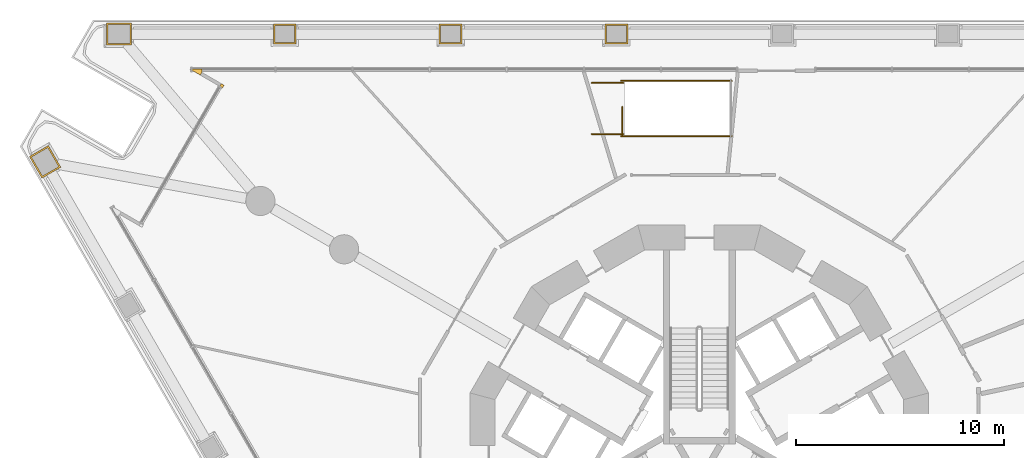
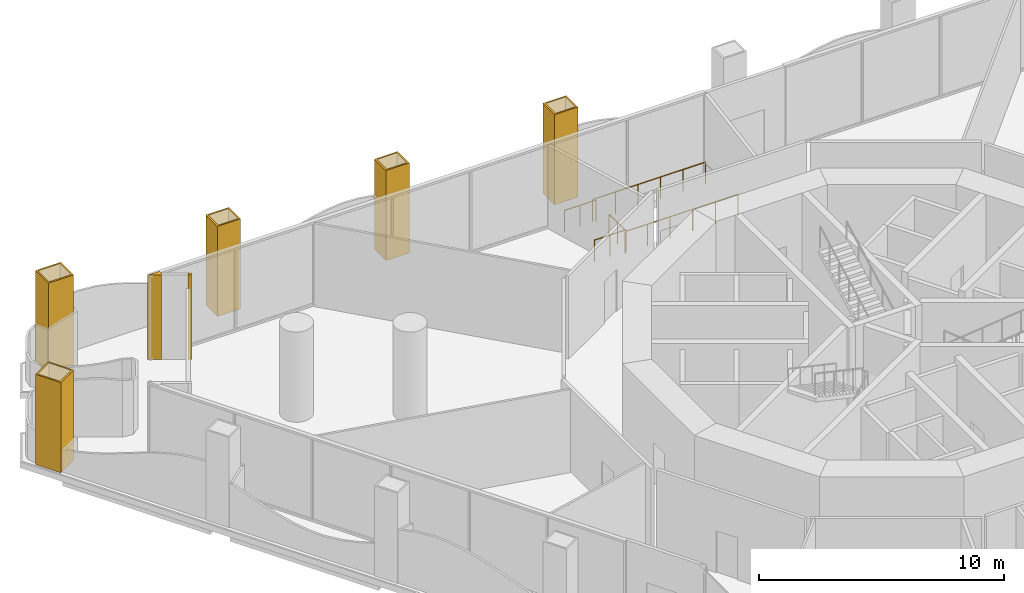
# One storey, part 19 of 21: 7 coverings, 5 railings.
"""IFC4 building model written with IfcOpenShell, lengths in metres."""

from ifc_helpers import new_model, si_unit, direction, frame, origin, origin_2d, place, context, subcontext, project, spatial, polyline, circle, outline, extrude, material, layer, layer_set, type_object, element, save


model = new_model("IFC4")

# Units and contexts
model_context = context("Model", 3, precision=1e-05, world=origin(), true_north=direction((0.0, 1.0)))
body_context = subcontext(model_context, "Body", "Model", "MODEL_VIEW")
ifc_project = project(units=[si_unit("LENGTHUNIT", "METRE"), si_unit("AREAUNIT", "SQUARE_METRE"), si_unit("VOLUMEUNIT", "CUBIC_METRE"), si_unit("PLANEANGLEUNIT", "RADIAN"), si_unit("MASSUNIT", "GRAM", prefix="KILO")], contexts=[model_context])

# Site, building, storey
site_placement = place(None, origin())
site = spatial("IfcSite", under=ifc_project, at=site_placement, CompositionType="ELEMENT")
building_placement = place(site_placement, origin())
building = spatial("IfcBuilding", under=site, at=building_placement, Name="Trine Commons Tower", CompositionType="ELEMENT")
storey_placement = place(building_placement, frame((0.0, 0.0, 27.0)))
storey = spatial("IfcBuildingStorey", under=building, at=storey_placement, Name="L05", CompositionType="ELEMENT", Elevation=27.0)

# Railings
ifc_material_1 = material(Name="Structural steel ASTM A500 Gr C", Category="steel")
railing_type = type_object("IfcRailingType", Name="Glass and steel guard 1100 mm, ASTM A500 Gr C", PredefinedType="GUARDRAIL", material=ifc_material_1)
railing_placement = place(storey_placement, frame((76.2900390625, 77.8349609375, 0.0)))
element("IfcRailing", 1, at=railing_placement, inside=storey, type_object=railing_type, Name="L05 PS1 top well guard 1", PredefinedType="GUARDRAIL", context=body_context, shape_type="SweptSolid", body=[
    extrude(circle(Radius=0.02392578125, at=origin_2d()), frame((0.0, 0.0, 1.076171875), z_axis=(0.0, 1.0, 0.0), x_axis=(-1.0, 0.0, 0.0)), (0.0, 0.0, 1.0), 1.35009765625),
    extrude(circle(Radius=0.02099609375, at=origin_2d()), origin(), (0.0, 0.0, 1.0), 1.052001953125),
    extrude(circle(Radius=0.02099609375, at=origin_2d()), frame((0.0, 0.675048828125, 0.0)), (0.0, 0.0, 1.0), 1.052001953125),
    extrude(circle(Radius=0.02099609375, at=origin_2d()), frame((0.0, 1.35009765625, 0.0)), (0.0, 0.0, 1.0), 1.052001953125),
])
for number, where, name in (
    (2, (76.239990234375, 77.784912109375, 0.0), "L05 PS1 top well guard 2"),
    (3, (76.239990234375, 80.43505859375, 0.0), "L05 PS1 top well guard 3"),
):
    element("IfcRailing", number, at=place(storey_placement, frame(where)), inside=storey, type_object=railing_type, Name=name, PredefinedType="GUARDRAIL", context=body_context, shape_type="SweptSolid", body=[
        extrude(circle(Radius=0.02392578125, at=origin_2d()), frame((0.0, 0.0, 1.076171875), z_axis=(1.0, 0.0, 0.0), x_axis=(0.0, 1.0, 0.0)), (0.0, 0.0, 1.0), 5.320068359375),
        extrude(circle(Radius=0.02099609375, at=origin_2d()), origin(), (0.0, 0.0, 1.0), 1.052001953125),
        extrude(circle(Radius=0.02099609375, at=origin_2d()), frame((1.06396484375, 0.0, 0.0)), (0.0, 0.0, 1.0), 1.052001953125),
        extrude(circle(Radius=0.02099609375, at=origin_2d()), frame((2.1279296875, 0.0, 0.0)), (0.0, 0.0, 1.0), 1.052001953125),
        extrude(circle(Radius=0.02099609375, at=origin_2d()), frame((3.192138671875, 0.0, 0.0)), (0.0, 0.0, 1.0), 1.052001953125),
        extrude(circle(Radius=0.02099609375, at=origin_2d()), frame((4.256103515625, 0.0, 0.0)), (0.0, 0.0, 1.0), 1.052001953125),
        extrude(circle(Radius=0.02099609375, at=origin_2d()), frame((5.320068359375, 0.0, 0.0)), (0.0, 0.0, 1.0), 1.052001953125),
    ])
for number, where, name in (
    (4, (74.840087890625, 77.885009765625, 0.0), "L05 PS1 top well guard 5"),
    (5, (74.840087890625, 80.3349609375, 0.0), "L05 PS1 top well guard 6"),
):
    element("IfcRailing", number, at=place(storey_placement, frame(where)), inside=storey, type_object=railing_type, Name=name, PredefinedType="GUARDRAIL", context=body_context, shape_type="SweptSolid", body=[
        extrude(circle(Radius=0.02392578125, at=origin_2d()), frame((0.0, 0.0, 1.076171875), z_axis=(1.0, 0.0, 0.0), x_axis=(0.0, 1.0, 0.0)), (0.0, 0.0, 1.0), 1.5),
        extrude(circle(Radius=0.02099609375, at=origin_2d()), origin(), (0.0, 0.0, 1.0), 1.052001953125),
        extrude(circle(Radius=0.02099609375, at=origin_2d()), frame((0.75, 0.0, 0.0)), (0.0, 0.0, 1.0), 1.052001953125),
        extrude(circle(Radius=0.02099609375, at=origin_2d()), frame((1.5, 0.0, 0.0)), (0.0, 0.0, 1.0), 1.052001953125),
    ])

# Coverings
ifc_material_2 = material(Name="Aluminium-framed insulated wall panel", Category="aluminium")
ifc_layer_1 = layer(ifc_material_2, 0.14990234375)
ifc_layer_set_1 = layer_set([ifc_layer_1], Name="Aluminium-framed insulated wall panel")
covering_type_1 = type_object("IfcCoveringType", Name="Glazing corner post, aluminium", PredefinedType="CLADDING", material=ifc_layer_set_1)
covering_1_placement = place(storey_placement, origin())
element("IfcCovering", 6, at=covering_1_placement, inside=storey, type_object=covering_type_1, Name="Glazing corner post 1-03", PredefinedType="CLADDING", context=body_context, shape_type="SweptSolid", body=[
    extrude(outline(polyline([(57.101318359375, 80.0966796875), (57.176513671875, 80.226806640625), (57.04638671875, 80.3017578125), (56.971435546875, 80.171875), (57.101318359375, 80.0966796875)])), origin(), (0.0, 0.0, 1.0), 4.199951171875),
])
covering_2_placement = place(storey_placement, origin())
element("IfcCovering", 7, at=covering_2_placement, inside=storey, type_object=covering_type_1, Name="Glazing corner post 1-04", PredefinedType="CLADDING", context=body_context, shape_type="SweptSolid", body=[
    extrude(outline(polyline([(56.03125, 80.714599609375), (56.106201171875, 80.844482421875), (56.106201171875, 80.99462890625), (55.54638671875, 80.99462890625), (56.03125, 80.714599609375)])), origin(), (0.0, 0.0, 1.0), 4.199951171875),
])
ifc_material_3 = material(Name="Limestone, honed", Category="masonry")
ifc_layer_2 = layer(ifc_material_3, 0.074951171875)
ifc_layer_set_2 = layer_set([ifc_layer_2], Name="Limestone, honed")
covering_type_2 = type_object("IfcCoveringType", Name="Limestone column cladding 75", PredefinedType="CLADDING", material=ifc_layer_set_2)
covering_3_placement = place(storey_placement, origin())
element("IfcCovering", 8, at=covering_3_placement, inside=storey, type_object=covering_type_2, Name="Limestone pier cladding 1-08", PredefinedType="CLADDING", context=body_context, shape_type="SweptSolid", body=[
    extrude(outline(polyline([(48.73828125, 77.327392578125), (47.8291015625, 76.802490234375), (48.428955078125, 75.76318359375), (49.33837890625, 76.288330078125), (48.73828125, 77.327392578125)]), holes=[polyline([(48.7109375, 77.22509765625), (47.931396484375, 76.775146484375), (48.45654296875, 75.86572265625), (49.23583984375, 76.315673828125), (48.7109375, 77.22509765625)])]), origin(), (0.0, 0.0, 1.0), 4.5),
])
covering_4_placement = place(storey_placement, origin())
element("IfcCovering", 9, at=covering_4_placement, inside=storey, type_object=covering_type_2, Name="Limestone pier cladding 1-09", PredefinedType="CLADDING", context=body_context, shape_type="SweptSolid", body=[
    extrude(outline(polyline([(52.728271484375, 82.15966796875), (52.728271484375, 83.209716796875), (51.5283203125, 83.209716796875), (51.5283203125, 82.15966796875), (52.728271484375, 82.15966796875)]), holes=[polyline([(52.6533203125, 82.234619140625), (52.6533203125, 83.134521484375), (51.603271484375, 83.134521484375), (51.603271484375, 82.234619140625), (52.6533203125, 82.234619140625)])]), origin(), (0.0, 0.0, 1.0), 4.5),
])
covering_5_placement = place(storey_placement, origin())
element("IfcCovering", 10, at=covering_5_placement, inside=storey, type_object=covering_type_2, Name="Limestone pier cladding 1-10", PredefinedType="CLADDING", context=body_context, shape_type="SweptSolid", body=[
    extrude(outline(polyline([(60.6416015625, 82.209716796875), (60.6416015625, 83.15966796875), (59.54150390625, 83.15966796875), (59.54150390625, 82.209716796875), (60.6416015625, 82.209716796875)]), holes=[polyline([(60.566650390625, 82.28466796875), (60.566650390625, 83.084716796875), (59.61669921875, 83.084716796875), (59.61669921875, 82.28466796875), (60.566650390625, 82.28466796875)])]), origin(), (0.0, 0.0, 1.0), 4.5),
])
covering_6_placement = place(storey_placement, origin())
element("IfcCovering", 11, at=covering_6_placement, inside=storey, type_object=covering_type_2, Name="Limestone pier cladding 1-11", PredefinedType="CLADDING", context=body_context, shape_type="SweptSolid", body=[
    extrude(outline(polyline([(68.60498046875, 82.209716796875), (68.60498046875, 83.15966796875), (67.5048828125, 83.15966796875), (67.5048828125, 82.209716796875), (68.60498046875, 82.209716796875)]), holes=[polyline([(68.52978515625, 82.28466796875), (68.52978515625, 83.084716796875), (67.579833984375, 83.084716796875), (67.579833984375, 82.28466796875), (68.52978515625, 82.28466796875)])]), origin(), (0.0, 0.0, 1.0), 4.5),
])
covering_7_placement = place(storey_placement, origin())
element("IfcCovering", 12, at=covering_7_placement, inside=storey, type_object=covering_type_2, Name="Limestone pier cladding 1-12", PredefinedType="CLADDING", context=body_context, shape_type="SweptSolid", body=[
    extrude(outline(polyline([(76.568359375, 82.209716796875), (76.568359375, 83.15966796875), (75.46826171875, 83.15966796875), (75.46826171875, 82.209716796875), (76.568359375, 82.209716796875)]), holes=[polyline([(76.493408203125, 82.28466796875), (76.493408203125, 83.084716796875), (75.543212890625, 83.084716796875), (75.543212890625, 82.28466796875), (76.493408203125, 82.28466796875)])]), origin(), (0.0, 0.0, 1.0), 4.5),
])

save(model, "model.ifc")
